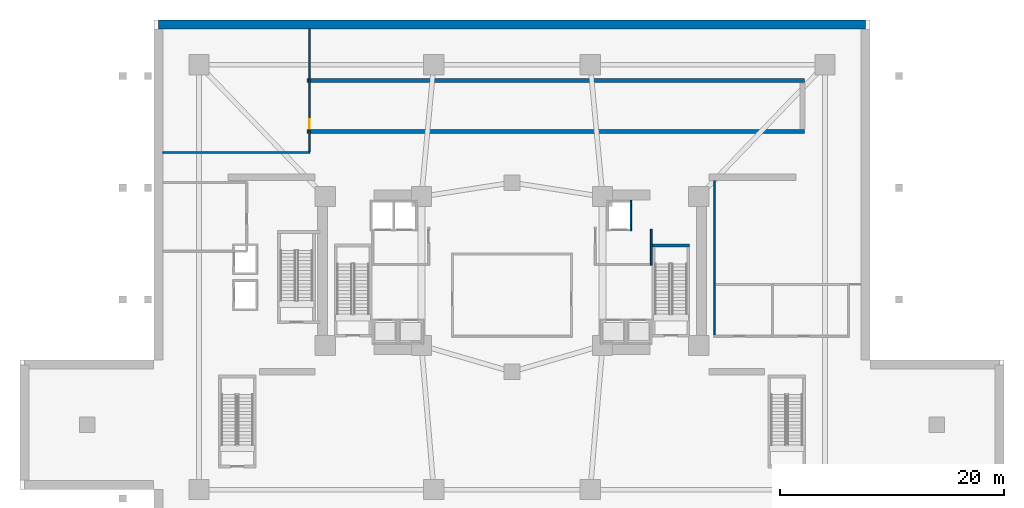
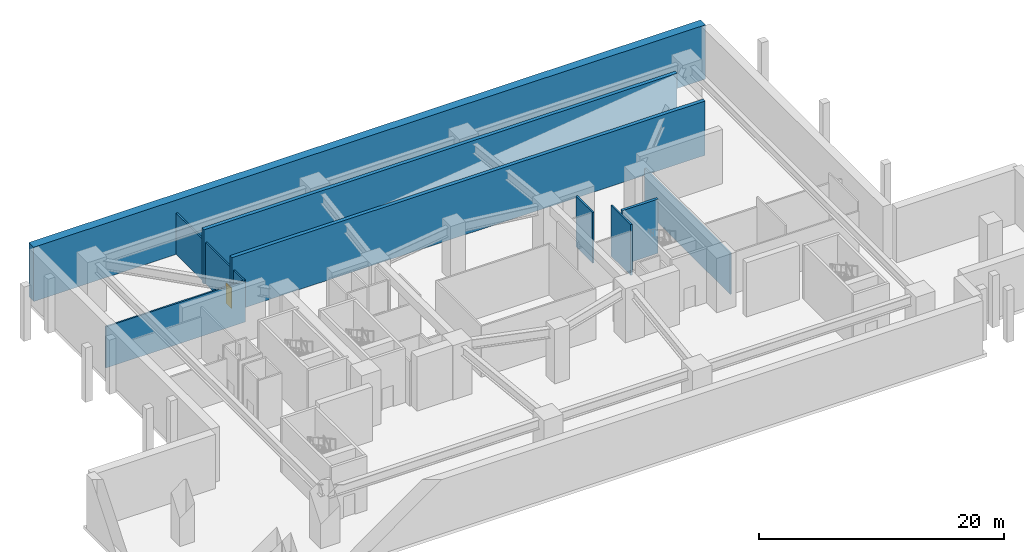
# One storey, part 4 of 9: 9 walls, 1 door, 1 opening.
"""IFC4 building model written with IfcOpenShell, lengths in metres."""

from ifc_helpers import new_model, si_unit, direction, frame, frame_2d, origin, place, context, subcontext, project, spatial, rectangle, extrude, material, layer, layer_set, type_object, element, fill, save


model = new_model("IFC4")

# Units and contexts
model_context = context("Model", 3, precision=1e-05, world=origin(), true_north=direction((0.0, 1.0)))
body_context = subcontext(model_context, "Body", "Model", "MODEL_VIEW")
ifc_project = project(units=[si_unit("LENGTHUNIT", "METRE"), si_unit("AREAUNIT", "SQUARE_METRE"), si_unit("VOLUMEUNIT", "CUBIC_METRE"), si_unit("PLANEANGLEUNIT", "RADIAN"), si_unit("MASSUNIT", "GRAM", prefix="KILO")], contexts=[model_context])

# Site, building, storey
site_placement = place(None, origin())
site = spatial("IfcSite", under=ifc_project, at=site_placement, CompositionType="ELEMENT")
building_placement = place(site_placement, origin())
building = spatial("IfcBuilding", under=site, at=building_placement, Name="Solvane Sanctuary Tower", CompositionType="ELEMENT")
storey_placement = place(building_placement, frame((0.0, 0.0, -5.39990234375)))
storey = spatial("IfcBuildingStorey", under=building, at=storey_placement, Name="B01", CompositionType="ELEMENT", Elevation=-5.39990234375)

# Wall
ifc_material_1 = material(Name="Acoustic Gypsum Partition Board")
ifc_layer_1 = layer(ifc_material_1, 0.14990234375, Name="Acoustic Gypsum Partition Board")
ifc_layer_set_1 = layer_set([ifc_layer_1], Name="Acoustic Gypsum Partition Board")
wall_type_1 = type_object("IfcWallType", Name="Wall W-CORR-150", PredefinedType="PARTITIONING", material=ifc_layer_set_1)
wall_1_placement = place(storey_placement, frame((44.449951171875, 24.080078125, 0.0), z_axis=(0.0, 0.0, 1.0), x_axis=(0.0, 1.0, 0.0)))
element("IfcWall", 1, at=wall_1_placement, inside=storey, type_object=wall_type_1, Name="B01 East Firefighting Lobby East Wall", PredefinedType="PARTITIONING", context=body_context, shape_type="SweptSolid", body=[
    extrude(rectangle(XDim=3.199951171875, YDim=0.14990234375, at=frame_2d((1.60009765625, 0.0))), origin(), (0.0, 0.0, 1.0), 5.054931640625),
])

# Wall, opening, door
wall_2_placement = place(storey_placement, frame((13.8798828125, 34.199951171875, 0.0), z_axis=(0.0, 0.0, 1.0), x_axis=(0.0, 1.0, 0.0)))
wall_2 = element("IfcWall", 2, at=wall_2_placement, inside=storey, type_object=wall_type_1, Name="B01 Loading Dock East Wall", PredefinedType="PARTITIONING", context=body_context, shape_type="SweptSolid", body=[
    extrude(rectangle(XDim=11.02001953125, YDim=0.14990234375, at=frame_2d((5.510009765625, 0.0))), origin(), (0.0, 0.0, 1.0), 4.099853515625),
])
opening_placement = place(wall_2_placement, frame((2.082275390625, 0.0, 0.0)))
opening = element("IfcOpeningElement", 3, at=opening_placement, cuts=wall_2, Name="Opening D-B01-08", PredefinedType="OPENING", context=body_context, shape_type="SweptSolid", body=[
    extrude(rectangle(XDim=0.85009765625, YDim=2.050048828125, at=frame_2d((0.425048828125, 1.02490234375))), frame((0.0, 0.0849609375, 0.0), z_axis=(0.0, -1.0, 0.0), x_axis=(1.0, 0.0, 0.0)), (0.0, 0.0, 1.0), 0.169921875),
])
ifc_material_2 = material(Name="Architectural Stainless Steel 316", Category="steel")
door_type = type_object("IfcDoorType", Name="Door D-RISER", OperationType="NOTDEFINED", PredefinedType="DOOR", material=ifc_material_2)
door_placement = place(opening_placement, origin())
door = element("IfcDoor", 4, at=door_placement, inside=storey, type_object=door_type, Name="B01 Loading Dock Corridor Door", OperationType="SINGLE_SWING_RIGHT", OverallHeight=2.050048828125, OverallWidth=0.85009765625, PredefinedType="DOOR", context=body_context, shape_type="SweptSolid", body=[
    extrude(rectangle(XDim=0.85009765625, YDim=2.050048828125, at=frame_2d((0.425048828125, 1.02490234375))), frame((0.0, 0.02490234375, 0.0), z_axis=(0.0, -1.0, 0.0), x_axis=(1.0, 0.0, 0.0)), (0.0, 0.0, 1.0), 0.050048828125),
])
fill(opening, door)

# Walls
wall_3_placement = place(storey_placement, frame((0.780029296875, 34.14990234375, 0.0), z_axis=(0.0, 0.0, 1.0), x_axis=(1.0, 0.0, 0.0)))
element("IfcWall", 5, at=wall_3_placement, inside=storey, type_object=wall_type_1, Name="B01 Loading Dock South Wall", PredefinedType="PARTITIONING", context=body_context, shape_type="SweptSolid", body=[
    extrude(rectangle(XDim=13.139892578125, YDim=0.14990234375, at=frame_2d((6.56982421875, 0.0))), origin(), (0.0, 0.0, 1.0), 4.099853515625),
])
ifc_material_3 = material(Name="Concrete C50/60", Category="concrete")
ifc_layer_2 = layer(ifc_material_3, 0.35009765625, Name="Concrete C50/60")
ifc_layer_set_2 = layer_set([ifc_layer_2], Name="Concrete C50/60")
wall_type_2 = type_object("IfcWallType", Name="Wall W-RAMP-350", PredefinedType="SOLIDWALL", material=ifc_layer_set_2)
for number, where, z_axis, x_axis, name in (
    (6, (13.64990234375, 36.02001953125, 0.0), (0.0, 0.0, 1.0), (1.0, 0.0, 0.0), "B01 Service Ramp Enclosure Wall S"),
    (7, (13.64990234375, 40.580078125, 0.0), (0.0, 0.0, 1.0), (1.0, 0.0, 0.0), "B01 Service Ramp Enclosure Wall N"),
):
    element("IfcWall", number, at=place(storey_placement, frame(where, z_axis=z_axis, x_axis=x_axis)), inside=storey, type_object=wall_type_2, Name=name, PredefinedType="SOLIDWALL", context=body_context, shape_type="SweptSolid", body=[
        extrude(rectangle(XDim=44.530029296875, YDim=0.35009765625, at=frame_2d((22.26513671875, 0.0))), origin(), (0.0, 0.0, 1.0), 5.39990234375),
    ])
ifc_material_4 = material(Name="Concrete C60/75", Category="concrete")
ifc_layer_3 = layer(ifc_material_4, 0.800048828125, Name="Concrete C60/75")
ifc_layer_set_3 = layer_set([ifc_layer_3], Name="Concrete C60/75")
wall_type_3 = type_object("IfcWallType", Name="Wall W-RET-800", PredefinedType="USERDEFINED", material=ifc_layer_set_3)
wall_4_placement = place(storey_placement, frame((63.60009765625, 45.60009765625, 0.0), z_axis=(0.0, 0.0, 1.0), x_axis=(-1.0, 0.0, 0.0)))
element("IfcWall", 8, at=wall_4_placement, inside=storey, type_object=wall_type_3, Name="B01 Perimeter Retaining Wall N", ObjectType="RETAININGWALL", PredefinedType="USERDEFINED", context=body_context, shape_type="SweptSolid", body=[
    extrude(rectangle(XDim=63.2001953125, YDim=0.800048828125, at=frame_2d((31.60009765625, 0.0))), origin(), (0.0, 0.0, 1.0), 5.39990234375),
])
ifc_layer_4 = layer(ifc_material_3, 0.14990234375, Name="Concrete C50/60")
ifc_layer_set_4 = layer_set([ifc_layer_4], Name="Concrete C50/60")
wall_type_4 = type_object("IfcWallType", Name="Wall W-SHAFT-150", PredefinedType="SOLIDWALL", material=ifc_layer_set_4)
wall_5_placement = place(storey_placement, frame((42.6298828125, 27.139892578125, 0.0), z_axis=(0.0, 0.0, 1.0), x_axis=(0.0, 1.0, 0.0)))
element("IfcWall", 9, at=wall_5_placement, inside=storey, type_object=wall_type_4, Name="B01 FFL-2 Lift Shaft Wall S2", PredefinedType="SOLIDWALL", context=body_context, shape_type="SweptSolid", body=[
    extrude(rectangle(XDim=2.72021484375, YDim=0.14990234375, at=frame_2d((1.360107421875, 0.0))), origin(), (0.0, 0.0, 1.0), 5.054931640625),
])
ifc_layer_5 = layer(ifc_material_3, 0.25, Name="Concrete C50/60")
ifc_layer_set_5 = layer_set([ifc_layer_5], Name="Concrete C50/60")
wall_type_5 = type_object("IfcWallType", Name="Wall W-SHAFT-250", PredefinedType="SOLIDWALL", material=ifc_layer_set_5)
wall_6_placement = place(storey_placement, frame((44.52490234375, 25.830078125, 0.0), z_axis=(0.0, 0.0, 1.0), x_axis=(1.0, 0.0, 0.0)))
element("IfcWall", 10, at=wall_6_placement, inside=storey, type_object=wall_type_5, Name="B01 ST-2 Load-Bearing Shaft Wall N", PredefinedType="SOLIDWALL", context=body_context, shape_type="SweptSolid", body=[
    extrude(rectangle(XDim=3.3701171875, YDim=0.25, at=frame_2d((1.68505859375, 0.0))), origin(), (0.0, 0.0, 1.0), 5.39990234375),
])
ifc_layer_6 = layer(ifc_material_1, 0.139892578125, Name="Acoustic Gypsum Partition Board")
ifc_layer_set_6 = layer_set([ifc_layer_6], Name="Acoustic Gypsum Partition Board")
wall_type_6 = type_object("IfcWallType", Name="Wall W-WET-140", PredefinedType="PLUMBINGWALL", material=ifc_layer_set_6)
wall_7_placement = place(storey_placement, frame((50.1201171875, 17.699951171875, 0.0), z_axis=(0.0, 0.0, 1.0), x_axis=(0.0, 1.0, 0.0)))
element("IfcWall", 11, at=wall_7_placement, inside=storey, type_object=wall_type_6, Name="B01 East Block West Wall", PredefinedType="PLUMBINGWALL", context=body_context, shape_type="SweptSolid", body=[
    extrude(rectangle(XDim=13.920166015625, YDim=0.139892578125, at=frame_2d((6.9599609375, 0.0))), origin(), (0.0, 0.0, 1.0), 4.099853515625),
])

save(model, "model.ifc")
